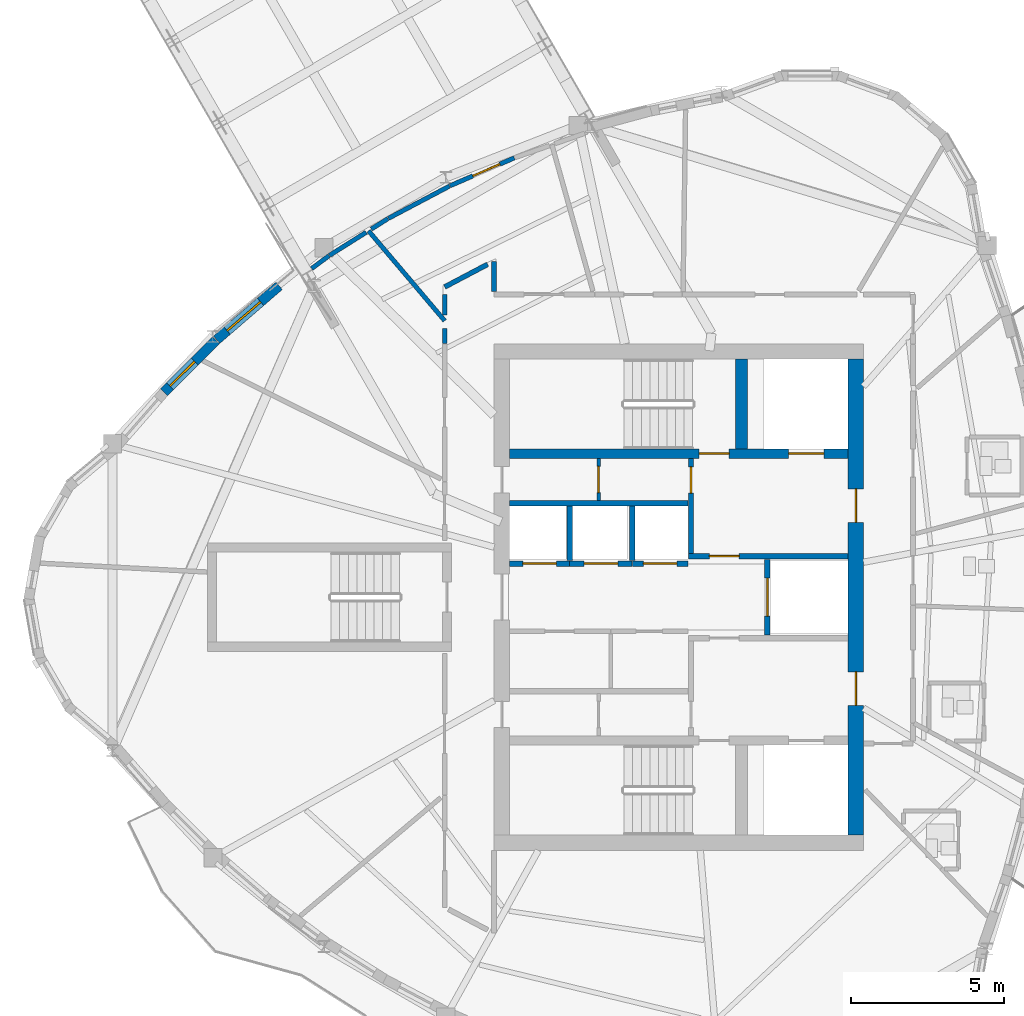
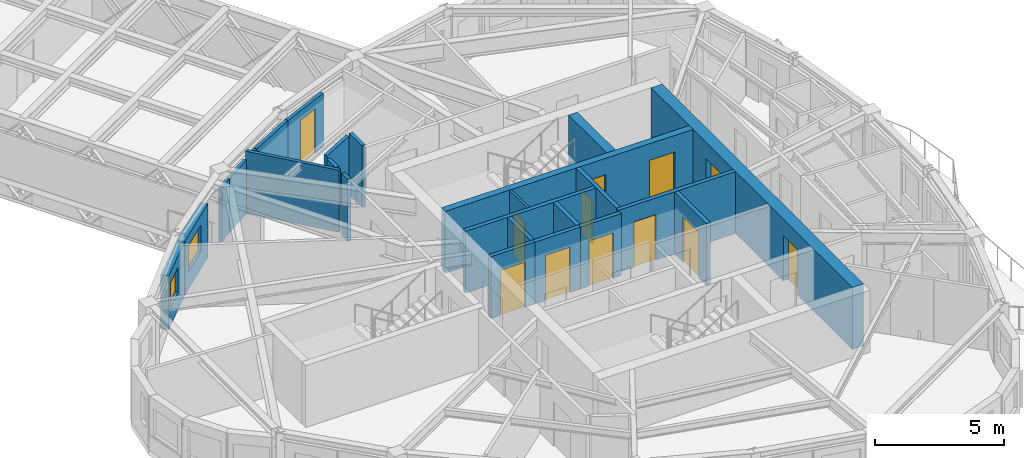
# One storey, part 8 of 14: 25 walls, 12 doors, 2 windows, 14 openings.
"""IFC4 building model written with IfcOpenShell, lengths in metres."""

import ifcopenshell
import ifcopenshell.guid

model = None  # the IFC model being written
_history = None  # IfcOwnerHistory: only IFC2X3 demands one
_inside = {}  # id of a spatial element -> (the spatial element, [elements in it])
_under = {}  # id of a project, library or spatial element -> (it, [spatial elements below it])
_declared = {}  # id of a project -> (the project, [libraries it declares])
_typed = {}  # id of a type object -> (the type object, [elements of that type])
_made_of = {}  # id of a material, layer set ... -> (it, [elements and type objects made of it])


def new_model(schema):
    """Start an empty IFC model of exactly this schema.

    Asked for "IFC4X3", IfcOpenShell would pick the latest addendum, in which some entities
    have other attributes; the version numbers below select the first issue.
    IFC2X3 requires an IfcOwnerHistory on every rooted entity: one is made here for all.
    """
    global model, _history
    if schema == "IFC4X3":
        model = ifcopenshell.file(schema_version=(4, 3, 0, 0))
    else:
        model = ifcopenshell.file(schema=schema)
    _inside.clear()
    _under.clear()
    _declared.clear()
    _typed.clear()
    _made_of.clear()
    _history = None
    if model.schema == "IFC2X3":
        org = make("IfcOrganization", Name="unknown")
        user = make(
            "IfcPersonAndOrganization",
            ThePerson=make("IfcPerson", FamilyName="unknown"),
            TheOrganization=org,
        )
        app = make(
            "IfcApplication",
            ApplicationDeveloper=org,
            Version="unknown",
            ApplicationFullName="unknown",
            ApplicationIdentifier="unknown",
        )
        _history = make(
            "IfcOwnerHistory",
            OwningUser=user,
            OwningApplication=app,
            ChangeAction="ADDED",
            CreationDate=0,
        )
    return model


def make(cls, **values):
    """One entity of the class cls with the attributes given. An attribute that is None is left unset."""
    return model.create_entity(
        cls, **{name: value for name, value in values.items() if value is not None}
    )


def rooted(cls, **values):
    """An entity with a GlobalId (a new one), such as an element, a storey or a relation."""
    return make(cls, GlobalId=ifcopenshell.guid.new(), OwnerHistory=_history, **values)


def si_unit(unit_type, name, prefix=None):
    """IfcSIUnit, for example si_unit("LENGTHUNIT", "METRE", prefix="MILLI")."""
    return make("IfcSIUnit", UnitType=unit_type, Prefix=prefix, Name=name)


def assignment(units):
    """IfcUnitAssignment: the units of a project."""
    return None if units is None else make("IfcUnitAssignment", Units=units)


def point(xyz):
    """IfcCartesianPoint."""
    return None if xyz is None else make("IfcCartesianPoint", Coordinates=xyz)


def direction(xyz):
    """IfcDirection."""
    return None if xyz is None else make("IfcDirection", DirectionRatios=xyz)


def frame(location, z_axis=None, x_axis=None):
    """IfcAxis2Placement3D, a coordinate frame: its origin and axes. An axis left out is left unset."""
    return make(
        "IfcAxis2Placement3D",
        Location=point(location),
        Axis=direction(z_axis),
        RefDirection=direction(x_axis),
    )


def frame_2d(location, x_axis=None):
    """IfcAxis2Placement2D, a coordinate frame in the plane: its origin and x axis."""
    return make(
        "IfcAxis2Placement2D", Location=point(location), RefDirection=direction(x_axis)
    )


def origin():
    """The frame at (0, 0, 0) with its axes left unset."""
    return frame((0.0, 0.0, 0.0))


def place(relative_to, where):
    """IfcLocalPlacement: puts the frame where relative to a parent placement (None: the world)."""
    return make(
        "IfcLocalPlacement", PlacementRelTo=relative_to, RelativePlacement=where
    )


def context(
    kind, dimensions, precision=None, world=None, true_north=None, identifier=None
):
    """IfcGeometricRepresentationContext, for example the 3D "Model" context."""
    return make(
        "IfcGeometricRepresentationContext",
        ContextIdentifier=identifier,
        ContextType=kind,
        CoordinateSpaceDimension=dimensions,
        Precision=precision,
        WorldCoordinateSystem=world,
        TrueNorth=true_north,
    )


def subcontext(parent, identifier, kind, view, scale=None):
    """IfcGeometricRepresentationSubContext, for example "Body" below "Model"."""
    return make(
        "IfcGeometricRepresentationSubContext",
        ContextIdentifier=identifier,
        ContextType=kind,
        ParentContext=parent,
        TargetScale=scale,
        TargetView=view,
    )


def project(units=None, contexts=None):
    """IfcProject with its units and contexts."""
    return rooted(
        "IfcProject",
        Name="project",
        RepresentationContexts=contexts,
        UnitsInContext=assignment(units),
    )


def spatial(cls, under=None, at=None, **own):
    """A site, building, storey or space (cls), placed at a placement, below another one or the project."""
    s = rooted(cls, ObjectPlacement=at, **own)
    if under is not None:
        _under.setdefault(under.id(), (under, []))[1].append(s)
    return s


def profile(cls, at=None, kind="AREA", **sizes):
    """A parametric profile (cls). Its sizes go by their IFC names, for example OverallWidth=200.0."""
    return make(cls, ProfileType=kind, Position=at, **sizes)


def rectangle(**sizes):
    """IfcRectangleProfileDef."""
    return profile("IfcRectangleProfileDef", **sizes)


def extrude(swept, where, along, depth):
    """IfcExtrudedAreaSolid: the profile swept, set in the frame where, extruded along a direction by depth."""
    return make(
        "IfcExtrudedAreaSolid",
        SweptArea=swept,
        Position=where,
        ExtrudedDirection=direction(along),
        Depth=depth,
    )


def shape(context_of_items, identifier, shape_type, items):
    """IfcShapeRepresentation: the items that make up one representation, for example the "Body"."""
    return make(
        "IfcShapeRepresentation",
        ContextOfItems=context_of_items,
        RepresentationIdentifier=identifier,
        RepresentationType=shape_type,
        Items=items,
    )


def source(mapping_origin, context_of_items, identifier, shape_type, items):
    """IfcRepresentationMap: a shape defined once, which mapped items show again and again."""
    return make(
        "IfcRepresentationMap",
        MappingOrigin=mapping_origin,
        MappedRepresentation=shape(context_of_items, identifier, shape_type, items),
    )


def transform(
    local_origin,
    x_axis=None,
    y_axis=None,
    z_axis=None,
    scale=None,
    scale2=None,
    scale3=None,
    uniform=True,
):
    """IfcCartesianTransformationOperator3D, or its non-uniform kind. x_axis, y_axis, z_axis: its Axis1, 2, 3."""
    if uniform:
        return make(
            "IfcCartesianTransformationOperator3D",
            Axis1=direction(x_axis),
            Axis2=direction(y_axis),
            LocalOrigin=point(local_origin),
            Scale=scale,
            Axis3=direction(z_axis),
        )
    return make(
        "IfcCartesianTransformationOperator3DnonUniform",
        Axis1=direction(x_axis),
        Axis2=direction(y_axis),
        LocalOrigin=point(local_origin),
        Scale=scale,
        Axis3=direction(z_axis),
        Scale2=scale2,
        Scale3=scale3,
    )


def mapped(mapping_source, mapping_target):
    """IfcMappedItem: shows the shape of a source again, moved by a transform."""
    return make(
        "IfcMappedItem", MappingSource=mapping_source, MappingTarget=mapping_target
    )


def material(Name=None, Category=None):
    """IfcMaterial."""
    return make("IfcMaterial", Name=Name, Category=Category)


def layer(
    of_material, thickness, ventilated=None, Name=None, Category=None, Priority=None
):
    """IfcMaterialLayer: one layer of a wall or slab, of a material (None: an air gap)."""
    return make(
        "IfcMaterialLayer",
        Material=of_material,
        LayerThickness=thickness,
        IsVentilated=ventilated,
        Name=Name,
        Category=Category,
        Priority=Priority,
    )


def layer_set(layers, Name=None):
    """IfcMaterialLayerSet."""
    return make("IfcMaterialLayerSet", MaterialLayers=layers, LayerSetName=Name)


def made_of(thing, what):
    """Note that an element or type object is made of a material, layer set ...; save() writes the relation."""
    if what is not None:
        _made_of.setdefault(what.id(), (what, []))[1].append(thing)
    return thing


def type_object(cls, material=None, **own):
    """A type object (cls), such as IfcWallType, which elements share."""
    return made_of(rooted(cls, **own), material)


def element(
    cls,
    number,
    at=None,
    inside=None,
    cuts=None,
    type_object=None,
    material=None,
    context=None,
    identifier="Body",
    shape_type=None,
    held_by="IfcProductDefinitionShape",
    body=None,
    shapes=None,
    **own,
):
    """One element of the class cls, such as IfcWall. Its Tag is "e" and its number.

    at: its placement. inside: the storey or other place that contains it. cuts: it is an
    opening in that element (IfcRelVoidsElement). A single representation is given by context,
    identifier, shape_type and body (its items); several are given by shapes. held_by: the class
    of the entity that holds the representations. save() writes the other relations.
    """
    e = rooted(cls, Tag="e%d" % number, ObjectPlacement=at, **own)
    if body is not None:
        shapes = [shape(context, identifier, shape_type, body)]
    if shapes is not None:
        e.Representation = make(held_by, Representations=shapes)
    if inside is not None:
        _inside.setdefault(inside.id(), (inside, []))[1].append(e)
    if cuts is not None:
        rooted(
            "IfcRelVoidsElement", RelatingBuildingElement=cuts, RelatedOpeningElement=e
        )
    if type_object is not None:
        _typed.setdefault(type_object.id(), (type_object, []))[1].append(e)
    return made_of(e, material)


def fill(opening, filler):
    """IfcRelFillsElement: the door or window that sits in an opening."""
    return rooted(
        "IfcRelFillsElement",
        RelatingOpeningElement=opening,
        RelatedBuildingElement=filler,
    )


def aggregate(whole, parts):
    """IfcRelAggregates: a whole, such as a stair, and the parts it consists of."""
    return rooted("IfcRelAggregates", RelatingObject=whole, RelatedObjects=parts)


def save(model, path):
    """Write the relations noted so far, then the file.

    IfcRelAggregates (storeys below a building ...), IfcRelContainedInSpatialStructure (elements
    in a storey), IfcRelDefinesByType, IfcRelAssociatesMaterial and IfcRelDeclares: one each for
    every whole, place, type object, material and project.
    """
    for whole, parts in _under.values():
        aggregate(whole, parts)
    for where, things in _inside.values():
        rooted(
            "IfcRelContainedInSpatialStructure",
            RelatedElements=things,
            RelatingStructure=where,
        )
    for kind, things in _typed.values():
        rooted("IfcRelDefinesByType", RelatedObjects=things, RelatingType=kind)
    for what, things in _made_of.values():
        rooted("IfcRelAssociatesMaterial", RelatedObjects=things, RelatingMaterial=what)
    for by, libraries in _declared.values():
        rooted("IfcRelDeclares", RelatingContext=by, RelatedDefinitions=libraries)
    model.write(path)


model = new_model("IFC4")

# Units and contexts
model_context = context("Model", 3, precision=1e-05, world=origin(), true_north=direction((0.0, 1.0)))
body_context = subcontext(model_context, "Body", "Model", "MODEL_VIEW")
ifc_project = project(units=[si_unit("LENGTHUNIT", "METRE"), si_unit("AREAUNIT", "SQUARE_METRE"), si_unit("VOLUMEUNIT", "CUBIC_METRE"), si_unit("PLANEANGLEUNIT", "RADIAN"), si_unit("MASSUNIT", "GRAM", prefix="KILO")], contexts=[model_context])

# Site, building, storey
site_placement = place(None, origin())
site = spatial("IfcSite", under=ifc_project, at=site_placement, CompositionType="ELEMENT")
building_placement = place(site_placement, origin())
building = spatial("IfcBuilding", under=site, at=building_placement, Name="Qafzar Sky-Pleat Residences", CompositionType="ELEMENT")
storey_placement = place(building_placement, frame((0.0, 0.0, 205.199951171875)))
storey = spatial("IfcBuildingStorey", under=building, at=storey_placement, Name="L61", CompositionType="ELEMENT", Elevation=205.199951171875)

# Walls
ifc_material_1 = material(Name="Acoustic gypsum plasterboard partition", Category="gypsum")
ifc_layer_1 = layer(ifc_material_1, 0.159912109375)
ifc_layer_set_1 = layer_set([ifc_layer_1], Name="Acoustic gypsum plasterboard partition")
wall_type_1 = type_object("IfcWallType", Name="PART-COR-160", PredefinedType="PARTITIONING", material=ifc_layer_set_1)
wall_1_placement = place(storey_placement, frame((22.679931640625, 36.1630859375, 0.0), z_axis=(0.0, 0.0, 1.0), x_axis=(0.884428711586, 0.466675319812, 0.0)))
element("IfcWall", 1, at=wall_1_placement, inside=storey, type_object=wall_type_1, Name="L61 Partition Wall PART-L61-PW-040", PredefinedType="PARTITIONING", context=body_context, shape_type="SweptSolid", body=[
    extrude(rectangle(XDim=1.592041015625, YDim=0.159912109375, at=frame_2d((0.7958984375, 0.0))), origin(), (0.0, 0.0, 1.0), 2.93505859375),
])
wall_2_placement = place(storey_placement, frame((24.300048828125, 36.008056640625, 0.0), z_axis=(0.0, 0.0, 1.0), x_axis=(0.0, 1.0, 0.0)))
element("IfcWall", 2, at=wall_2_placement, inside=storey, type_object=wall_type_1, Name="L61 Partition Wall PART-L61-PW-047", PredefinedType="PARTITIONING", context=body_context, shape_type="SweptSolid", body=[
    extrude(rectangle(XDim=0.989990234375, YDim=0.159912109375, at=frame_2d((0.4951171875, 0.0))), origin(), (0.0, 0.0, 1.0), 2.93505859375),
])
wall_3_placement = place(storey_placement, frame((22.679931640625, 35.24658203125, 0.0), z_axis=(0.0, 0.0, 1.0), x_axis=(0.0, 1.0, 0.0)))
element("IfcWall", 3, at=wall_3_placement, inside=storey, type_object=wall_type_1, Name="L61 Partition Wall PART-L61-PW-049", PredefinedType="PARTITIONING", context=body_context, shape_type="SweptSolid", body=[
    extrude(rectangle(XDim=0.67333984375, YDim=0.159912109375, at=frame_2d((0.336669921875, 0.0))), origin(), (0.0, 0.0, 1.0), 2.93505859375),
])
wall_4_placement = place(storey_placement, frame((22.679931640625, 34.31494140625, 0.0), z_axis=(0.0, 0.0, 1.0), x_axis=(0.0, 1.0, 0.0)))
element("IfcWall", 4, at=wall_4_placement, inside=storey, type_object=wall_type_1, Name="L61 Partition Wall PART-L61-PW-052", PredefinedType="PARTITIONING", context=body_context, shape_type="SweptSolid", body=[
    extrude(rectangle(XDim=0.487548828125, YDim=0.159912109375, at=frame_2d((0.24365234375, 0.0))), origin(), (0.0, 0.0, 1.0), 2.93505859375),
])

# Wall, opening, door
ifc_material_2 = material(Name="Concrete blockwork partition", Category="masonry")
ifc_layer_2 = layer(ifc_material_2, 0.179931640625)
ifc_layer_set_2 = layer_set([ifc_layer_2], Name="Concrete blockwork partition")
wall_type_2 = type_object("IfcWallType", Name="PART-SHAFT-180", PredefinedType="PARTITIONING", material=ifc_layer_set_2)
wall_5_placement = place(storey_placement, frame((30.75, 27.429931640625, 0.0), z_axis=(0.0, 0.0, 1.0), x_axis=(0.0, 1.0, 0.0)))
wall_5 = element("IfcWall", 5, at=wall_5_placement, inside=storey, type_object=wall_type_2, Name="L61 Partition Wall PART-L61-FFL2-W", PredefinedType="PARTITIONING", context=body_context, shape_type="SweptSolid", body=[
    extrude(rectangle(XDim=3.110107421875, YDim=0.179931640625, at=frame_2d((1.55517578125, 0.0))), origin(), (0.0, 0.0, 1.0), 2.93505859375),
])
opening_1_placement = place(wall_5_placement, frame((1.97998046875, 0.0, 0.0)))
opening_1 = element("IfcOpeningElement", 6, at=opening_1_placement, cuts=wall_5, Name="Opening ID-09", PredefinedType="OPENING", context=body_context, shape_type="SweptSolid", body=[
    extrude(rectangle(XDim=0.860107421875, YDim=2.050048828125, at=frame_2d((0.43017578125, 1.02490234375))), frame((0.0, 0.10009765625, 0.0), z_axis=(0.0, -1.0, 0.0), x_axis=(1.0, 0.0, 0.0)), (0.0, 0.0, 1.0), 0.199951171875),
])
ifc_material_3 = material(Name="Timber-faced fire door", Category="wood")
door_type_1 = type_object("IfcDoorType", Name="DR-SVC-860", OperationType="NOTDEFINED", PredefinedType="DOOR", material=ifc_material_3)
shared_shape_1 = source(origin(), body_context, "Body", "SweptSolid", [
    extrude(rectangle(XDim=0.860107421875, YDim=2.050048828125, at=frame_2d((0.43017578125, 1.02490234375))), frame((0.0, 0.02490234375, 0.0), z_axis=(0.0, -1.0, 0.0), x_axis=(1.0, 0.0, 0.0)), (0.0, 0.0, 1.0), 0.050048828125),
])
door_1_placement = place(opening_1_placement, origin())
door_1 = element("IfcDoor", 7, at=door_1_placement, inside=storey, type_object=door_type_1, Name="L61 North Core Cupboard Door", OperationType="SINGLE_SWING_LEFT", OverallHeight=2.050048828125, OverallWidth=0.860107421875, PredefinedType="DOOR", context=body_context, shape_type="MappedRepresentation", body=[
    mapped(shared_shape_1, transform((0.0, 0.0, 0.0), x_axis=(1.0, 0.0, 0.0), y_axis=(0.0, 1.0, 0.0), z_axis=(0.0, 0.0, 1.0), scale=1.0)),
])
fill(opening_1, door_1)

wall_6_placement = place(storey_placement, frame((30.669921875, 27.340087890625, 0.0), z_axis=(0.0, 0.0, 1.0), x_axis=(1.0, 0.0, 0.0)))
wall_6 = element("IfcWall", 8, at=wall_6_placement, inside=storey, type_object=wall_type_2, Name="L61 Partition Wall PART-L61-FFL2-S", PredefinedType="PARTITIONING", context=body_context, shape_type="SweptSolid", body=[
    extrude(rectangle(XDim=5.219970703125, YDim=0.179931640625, at=frame_2d((2.60986328125, 0.0))), origin(), (0.0, 0.0, 1.0), 2.93505859375),
])
opening_2_placement = place(wall_6_placement, frame((0.679931640625, 0.0, 0.0)))
opening_2 = element("IfcOpeningElement", 9, at=opening_2_placement, cuts=wall_6, Name="Opening ID-01", PredefinedType="OPENING", context=body_context, shape_type="SweptSolid", body=[
    extrude(rectangle(XDim=0.97998046875, YDim=2.14990234375, at=frame_2d((0.489990234375, 1.074951171875))), frame((0.0, 0.10009765625, 0.0), z_axis=(0.0, -1.0, 0.0), x_axis=(1.0, 0.0, 0.0)), (0.0, 0.0, 1.0), 0.199951171875),
])
door_type_2 = type_object("IfcDoorType", Name="DR-STAIR-980", OperationType="NOTDEFINED", PredefinedType="DOOR", material=ifc_material_3)
shared_shape_2 = source(origin(), body_context, "Body", "SweptSolid", [
    extrude(rectangle(XDim=0.97998046875, YDim=2.14990234375, at=frame_2d((0.489990234375, 1.074951171875))), frame((0.0, 0.02490234375, 0.0), z_axis=(0.0, -1.0, 0.0), x_axis=(1.0, 0.0, 0.0)), (0.0, 0.0, 1.0), 0.050048828125),
])
door_2_placement = place(opening_2_placement, origin())
door_2 = element("IfcDoor", 10, at=door_2_placement, inside=storey, type_object=door_type_2, Name="L61 Lift Lobby to North Firefighting Lobby Door", OperationType="SINGLE_SWING_RIGHT", OverallHeight=2.14990234375, OverallWidth=0.97998046875, PredefinedType="DOOR", context=body_context, shape_type="MappedRepresentation", body=[
    mapped(shared_shape_2, transform((0.0, 0.0, 0.0), x_axis=(1.0, 0.0, 0.0), y_axis=(0.0, 1.0, 0.0), z_axis=(0.0, 0.0, 1.0), scale=1.0)),
])
fill(opening_2, door_2)

wall_7_placement = place(storey_placement, frame((33.25, 24.760009765625, 0.0), z_axis=(0.0, 0.0, 1.0), x_axis=(0.0, 1.0, 0.0)))
wall_7 = element("IfcWall", 11, at=wall_7_placement, inside=storey, type_object=wall_type_2, Name="L61 Partition Wall PART-L61-SV1-W", PredefinedType="PARTITIONING", context=body_context, shape_type="SweptSolid", body=[
    extrude(rectangle(XDim=2.47998046875, YDim=0.179931640625, at=frame_2d((1.239990234375, 0.0))), origin(), (0.0, 0.0, 1.0), 2.93505859375),
])
opening_3_placement = place(wall_7_placement, frame((0.614990234375, 0.0, 0.0)))
opening_3 = element("IfcOpeningElement", 12, at=opening_3_placement, cuts=wall_7, Name="Opening LD-03", PredefinedType="OPENING", context=body_context, shape_type="SweptSolid", body=[
    extrude(rectangle(XDim=1.25, YDim=2.14990234375, at=frame_2d((0.625, 1.074951171875))), frame((0.0, 0.10009765625, 0.0), z_axis=(0.0, -1.0, 0.0), x_axis=(1.0, 0.0, 0.0)), (0.0, 0.0, 1.0), 0.199951171875),
])
ifc_material_4 = material(Name="Stainless steel sliding landing door", Category="steel")
door_type_3 = type_object("IfcDoorType", Name="DR-LIFT-SV", OperationType="DOUBLE_DOOR_SLIDING", PredefinedType="DOOR", material=ifc_material_4)
shared_shape_3 = source(origin(), body_context, "Body", "SweptSolid", [
    extrude(rectangle(XDim=1.25, YDim=2.14990234375, at=frame_2d((0.625, 1.074951171875))), frame((0.0, 0.02490234375, 0.0), z_axis=(0.0, -1.0, 0.0), x_axis=(1.0, 0.0, 0.0)), (0.0, 0.0, 1.0), 0.050048828125),
])
door_3_placement = place(opening_3_placement, origin())
door_3 = element("IfcDoor", 13, at=door_3_placement, inside=storey, type_object=door_type_3, Name="L61 Service Lift SV1 Landing Door", OperationType="DOUBLE_DOOR_SLIDING", OverallHeight=2.14990234375, OverallWidth=1.25, PredefinedType="DOOR", context=body_context, shape_type="MappedRepresentation", body=[
    mapped(shared_shape_3, transform((0.0, 0.0, 0.0), x_axis=(1.0, 0.0, 0.0), y_axis=(0.0, 1.0, 0.0), z_axis=(0.0, 0.0, 1.0), scale=1.0)),
])
fill(opening_3, door_3)

# Wall
wall_8_placement = place(storey_placement, frame((24.81005859375, 29.080078125, 0.0), z_axis=(0.0, 0.0, 1.0), x_axis=(1.0, 0.0, 0.0)))
element("IfcWall", 14, at=wall_8_placement, inside=storey, type_object=wall_type_2, Name="L61 Partition Wall PART-L61-P46-N", PredefinedType="PARTITIONING", context=body_context, shape_type="SweptSolid", body=[
    extrude(rectangle(XDim=5.83984375, YDim=0.179931640625, at=frame_2d((2.919921875, 0.0))), origin(), (0.0, 0.0, 1.0), 2.93505859375),
])

# Wall, opening, door
wall_9_placement = place(storey_placement, frame((24.81005859375, 27.10009765625, 0.0), z_axis=(0.0, 0.0, 1.0), x_axis=(1.0, 0.0, 0.0)))
wall_9 = element("IfcWall", 15, at=wall_9_placement, inside=storey, type_object=wall_type_2, Name="L61 Partition Wall PART-L61-P4-S", PredefinedType="PARTITIONING", context=body_context, shape_type="SweptSolid", body=[
    extrude(rectangle(XDim=1.96484375, YDim=0.179931640625, at=frame_2d((0.982421875, 0.0))), origin(), (0.0, 0.0, 1.0), 2.93505859375),
])
opening_4_placement = place(wall_9_placement, frame((0.4326171875, 0.0, 0.0)))
opening_4 = element("IfcOpeningElement", 16, at=opening_4_placement, cuts=wall_9, Name="Opening LD-01", PredefinedType="OPENING", context=body_context, shape_type="SweptSolid", body=[
    extrude(rectangle(XDim=1.10009765625, YDim=2.14990234375, at=frame_2d((0.550048828125, 1.074951171875))), frame((0.0, 0.10009765625, 0.0), z_axis=(0.0, -1.0, 0.0), x_axis=(1.0, 0.0, 0.0)), (0.0, 0.0, 1.0), 0.199951171875),
])
door_type_4 = type_object("IfcDoorType", Name="DR-LIFT-P", OperationType="DOUBLE_DOOR_SLIDING", PredefinedType="DOOR", material=ifc_material_4)
shared_shape_4 = source(origin(), body_context, "Body", "SweptSolid", [
    extrude(rectangle(XDim=1.10009765625, YDim=2.14990234375, at=frame_2d((0.550048828125, 1.074951171875))), frame((0.0, 0.02490234375, 0.0), z_axis=(0.0, -1.0, 0.0), x_axis=(1.0, 0.0, 0.0)), (0.0, 0.0, 1.0), 0.050048828125),
])
door_4_placement = place(opening_4_placement, origin())
door_4 = element("IfcDoor", 17, at=door_4_placement, inside=storey, type_object=door_type_4, Name="L61 Passenger Lift P4 Landing Door", OperationType="DOUBLE_DOOR_SLIDING", OverallHeight=2.14990234375, OverallWidth=1.10009765625, PredefinedType="DOOR", context=body_context, shape_type="MappedRepresentation", body=[
    mapped(shared_shape_4, transform((0.0, 0.0, 0.0), x_axis=(1.0, 0.0, 0.0), y_axis=(0.0, 1.0, 0.0), z_axis=(0.0, 0.0, 1.0), scale=1.0)),
])
fill(opening_4, door_4)

wall_10_placement = place(storey_placement, frame((26.77490234375, 27.10009765625, 0.0), z_axis=(0.0, 0.0, 1.0), x_axis=(1.0, 0.0, 0.0)))
wall_10 = element("IfcWall", 18, at=wall_10_placement, inside=storey, type_object=wall_type_2, Name="L61 Partition Wall PART-L61-P5-S", PredefinedType="PARTITIONING", context=body_context, shape_type="SweptSolid", body=[
    extrude(rectangle(XDim=2.050048828125, YDim=0.179931640625, at=frame_2d((1.02490234375, 0.0))), origin(), (0.0, 0.0, 1.0), 2.93505859375),
])
opening_5_placement = place(wall_10_placement, frame((0.47509765625, 0.0, 0.0)))
opening_5 = element("IfcOpeningElement", 19, at=opening_5_placement, cuts=wall_10, Name="Opening LD-01", PredefinedType="OPENING", context=body_context, shape_type="SweptSolid", body=[
    extrude(rectangle(XDim=1.10009765625, YDim=2.14990234375, at=frame_2d((0.550048828125, 1.074951171875))), frame((0.0, 0.10009765625, 0.0), z_axis=(0.0, -1.0, 0.0), x_axis=(1.0, 0.0, 0.0)), (0.0, 0.0, 1.0), 0.199951171875),
])
door_5_placement = place(opening_5_placement, origin())
door_5 = element("IfcDoor", 20, at=door_5_placement, inside=storey, type_object=door_type_4, Name="L61 Passenger Lift P5 Landing Door", OperationType="DOUBLE_DOOR_SLIDING", OverallHeight=2.14990234375, OverallWidth=1.10009765625, PredefinedType="DOOR", context=body_context, shape_type="MappedRepresentation", body=[
    mapped(shared_shape_4, transform((0.0, 0.0, 0.0), x_axis=(1.0, 0.0, 0.0), y_axis=(0.0, 1.0, 0.0), z_axis=(0.0, 0.0, 1.0), scale=1.0)),
])
fill(opening_5, door_5)

# Wall
wall_11_placement = place(storey_placement, frame((26.77490234375, 27.199951171875, 0.0), z_axis=(0.0, 0.0, 1.0), x_axis=(0.0, 1.0, 0.0)))
element("IfcWall", 21, at=wall_11_placement, inside=storey, type_object=wall_type_2, Name="L61 Partition Wall PART-L61-P46-DIV-1", PredefinedType="PARTITIONING", context=body_context, shape_type="SweptSolid", body=[
    extrude(rectangle(XDim=1.780029296875, YDim=0.179931640625, at=frame_2d((0.89013671875, 0.0))), origin(), (0.0, 0.0, 1.0), 2.93505859375),
])

# Wall, opening, door
wall_12_placement = place(storey_placement, frame((28.824951171875, 27.10009765625, 0.0), z_axis=(0.0, 0.0, 1.0), x_axis=(1.0, 0.0, 0.0)))
wall_12 = element("IfcWall", 22, at=wall_12_placement, inside=storey, type_object=wall_type_2, Name="L61 Partition Wall PART-L61-P6-S", PredefinedType="PARTITIONING", context=body_context, shape_type="SweptSolid", body=[
    extrude(rectangle(XDim=1.824951171875, YDim=0.179931640625, at=frame_2d((0.91259765625, 0.0))), origin(), (0.0, 0.0, 1.0), 2.93505859375),
])
opening_6_placement = place(wall_12_placement, frame((0.362548828125, 0.0, 0.0)))
opening_6 = element("IfcOpeningElement", 23, at=opening_6_placement, cuts=wall_12, Name="Opening LD-01", PredefinedType="OPENING", context=body_context, shape_type="SweptSolid", body=[
    extrude(rectangle(XDim=1.10009765625, YDim=2.14990234375, at=frame_2d((0.550048828125, 1.074951171875))), frame((0.0, 0.10009765625, 0.0), z_axis=(0.0, -1.0, 0.0), x_axis=(1.0, 0.0, 0.0)), (0.0, 0.0, 1.0), 0.199951171875),
])
door_6_placement = place(opening_6_placement, origin())
door_6 = element("IfcDoor", 24, at=door_6_placement, inside=storey, type_object=door_type_4, Name="L61 Passenger Lift P6 Landing Door", OperationType="DOUBLE_DOOR_SLIDING", OverallHeight=2.14990234375, OverallWidth=1.10009765625, PredefinedType="DOOR", context=body_context, shape_type="MappedRepresentation", body=[
    mapped(shared_shape_4, transform((0.0, 0.0, 0.0), x_axis=(1.0, 0.0, 0.0), y_axis=(0.0, 1.0, 0.0), z_axis=(0.0, 0.0, 1.0), scale=1.0)),
])
fill(opening_6, door_6)

# Wall
wall_13_placement = place(storey_placement, frame((28.824951171875, 27.199951171875, 0.0), z_axis=(0.0, 0.0, 1.0), x_axis=(0.0, 1.0, 0.0)))
element("IfcWall", 25, at=wall_13_placement, inside=storey, type_object=wall_type_2, Name="L61 Partition Wall PART-L61-P46-DIV-2", PredefinedType="PARTITIONING", context=body_context, shape_type="SweptSolid", body=[
    extrude(rectangle(XDim=1.780029296875, YDim=0.179931640625, at=frame_2d((0.89013671875, 0.0))), origin(), (0.0, 0.0, 1.0), 2.93505859375),
])

# Wall, opening, door
ifc_material_5 = material(Name="Gypsum plasterboard partition", Category="gypsum")
ifc_layer_3 = layer(ifc_material_5, 0.114990234375)
ifc_layer_set_3 = layer_set([ifc_layer_3], Name="Gypsum plasterboard partition")
wall_type_3 = type_object("IfcWallType", Name="PART-SVC-115", PredefinedType="PARTITIONING", material=ifc_layer_set_3)
wall_14_placement = place(storey_placement, frame((27.72509765625, 29.159912109375, 0.0), z_axis=(0.0, 0.0, 1.0), x_axis=(0.0, 1.0, 0.0)))
wall_14 = element("IfcWall", 26, at=wall_14_placement, inside=storey, type_object=wall_type_3, Name="L61 Partition Wall PART-L61-KB-NW", PredefinedType="PARTITIONING", context=body_context, shape_type="SweptSolid", body=[
    extrude(rectangle(XDim=1.380126953125, YDim=0.114990234375, at=frame_2d((0.68994140625, 0.0))), origin(), (0.0, 0.0, 1.0), 2.93505859375),
])
opening_7_placement = place(wall_14_placement, frame((0.260009765625, 0.0, 0.0)))
opening_7 = element("IfcOpeningElement", 27, at=opening_7_placement, cuts=wall_14, Name="Opening ID-09", PredefinedType="OPENING", context=body_context, shape_type="SweptSolid", body=[
    extrude(rectangle(XDim=0.860107421875, YDim=2.050048828125, at=frame_2d((0.43017578125, 1.02490234375))), frame((0.0, 0.0673828125, 0.0), z_axis=(0.0, -1.0, 0.0), x_axis=(1.0, 0.0, 0.0)), (0.0, 0.0, 1.0), 0.135009765625),
])
door_7_placement = place(opening_7_placement, origin())
door_7 = element("IfcDoor", 28, at=door_7_placement, inside=storey, type_object=door_type_1, Name="L61 IT Cupboard Door", OperationType="SINGLE_SWING_RIGHT", OverallHeight=2.050048828125, OverallWidth=0.860107421875, PredefinedType="DOOR", context=body_context, shape_type="MappedRepresentation", body=[
    mapped(shared_shape_1, transform((0.0, 0.0, 0.0), x_axis=(1.0, 0.0, 0.0), y_axis=(0.0, 1.0, 0.0), z_axis=(0.0, 0.0, 1.0), scale=1.0)),
])
fill(opening_7, door_7)

ifc_layer_4 = layer(ifc_material_1, 0.14501953125)
ifc_layer_set_4 = layer_set([ifc_layer_4], Name="Acoustic gypsum plasterboard partition")
wall_type_4 = type_object("IfcWallType", Name="PART-UNIT-145", PredefinedType="PARTITIONING", material=ifc_layer_set_4)
wall_15_placement = place(storey_placement, frame((22.85302734375, 39.47705078125, 0.0), z_axis=(0.0, 0.0, 1.0), x_axis=(0.917164692317, 0.398508377788, 0.0)))
wall_15 = element("IfcWall", 29, at=wall_15_placement, inside=storey, type_object=wall_type_4, Name="L61 Partition Wall PART-L61-PW-010", PredefinedType="PARTITIONING", context=body_context, shape_type="SweptSolid", body=[
    extrude(rectangle(XDim=2.296142578125, YDim=0.14501953125, at=frame_2d((1.14794921875, 0.0))), origin(), (0.0, 0.0, 1.0), 2.54296875),
])
opening_8_placement = place(wall_15_placement, frame((0.8173828125, 0.0, 0.0)))
opening_8 = element("IfcOpeningElement", 30, at=opening_8_placement, cuts=wall_15, Name="Opening ID-06", PredefinedType="OPENING", context=body_context, shape_type="SweptSolid", body=[
    extrude(rectangle(XDim=0.9599609375, YDim=2.10009765625, at=frame_2d((0.47998046875, 1.050048828125))), frame((0.0, 0.08251953125, 0.0), z_axis=(0.0, -1.0, 0.0), x_axis=(1.0, 0.0, 0.0)), (0.0, 0.0, 1.0), 0.1650390625),
])
door_type_5 = type_object("IfcDoorType", Name="DR-STD-960", OperationType="NOTDEFINED", PredefinedType="DOOR", material=ifc_material_3)
shared_shape_5 = source(origin(), body_context, "Body", "SweptSolid", [
    extrude(rectangle(XDim=0.9599609375, YDim=2.10009765625, at=frame_2d((0.47998046875, 1.050048828125))), frame((0.0, 0.02490234375, 0.0), z_axis=(0.0, -1.0, 0.0), x_axis=(1.0, 0.0, 0.0)), (0.0, 0.0, 1.0), 0.050048828125),
])
door_8_placement = place(opening_8_placement, origin())
door_8 = element("IfcDoor", 31, at=door_8_placement, inside=storey, type_object=door_type_5, Name="L61 Sky-Bar Reading Library Door", OperationType="SINGLE_SWING_RIGHT", OverallHeight=2.10009765625, OverallWidth=0.9599609375, PredefinedType="DOOR", context=body_context, shape_type="MappedRepresentation", body=[
    mapped(shared_shape_5, transform((0.0, 0.0, 0.0), x_axis=(1.0, 0.0, 0.0), y_axis=(0.0, 1.0, 0.0), z_axis=(0.0, 0.0, 1.0), scale=1.0)),
])
fill(opening_8, door_8)

# Walls
wall_16_placement = place(storey_placement, frame((20.18408203125, 38.001953125, 0.0), z_axis=(0.0, 0.0, 1.0), x_axis=(0.646276580378, -0.763103257531, 0.0)))
element("IfcWall", 32, at=wall_16_placement, inside=storey, type_object=wall_type_4, Name="L61 Partition Wall PART-L61-PW-026", PredefinedType="PARTITIONING", context=body_context, shape_type="SweptSolid", body=[
    extrude(rectangle(XDim=3.86181640625, YDim=0.14501953125, at=frame_2d((1.930908203125, 0.0))), origin(), (0.0, 0.0, 1.0), 2.93505859375),
])
wall_17_placement = place(storey_placement, frame((20.833984375, 38.410888671875, 0.0), z_axis=(0.0, 0.0, 1.0), x_axis=(0.884282286127, 0.466952715425, 0.0)))
element("IfcWall", 33, at=wall_17_placement, inside=storey, type_object=wall_type_4, Name="L61 Partition Wall PART-L61-PW-030", PredefinedType="PARTITIONING", context=body_context, shape_type="SweptSolid", body=[
    extrude(rectangle(XDim=2.26806640625, YDim=0.14501953125, at=frame_2d((1.134033203125, 0.0))), origin(), (0.0, 0.0, 1.0), 2.54296875),
])
wall_18_placement = place(storey_placement, frame((18.902099609375, 37.196044921875, 0.0), z_axis=(0.0, 0.0, 1.0), x_axis=(0.846539334405, 0.532326173794, 0.0)))
element("IfcWall", 34, at=wall_18_placement, inside=storey, type_object=wall_type_4, Name="L61 Partition Wall PART-L61-PW-044", PredefinedType="PARTITIONING", context=body_context, shape_type="SweptSolid", body=[
    extrude(rectangle(XDim=1.422607421875, YDim=0.14501953125, at=frame_2d((0.71142578125, 0.0))), origin(), (0.0, 0.0, 1.0), 2.54296875),
])
wall_19_placement = place(storey_placement, frame((20.274169921875, 38.05859375, 0.0), z_axis=(0.0, 0.0, 1.0), x_axis=(0.84623284009, 0.532813269686, 0.0)))
element("IfcWall", 35, at=wall_19_placement, inside=storey, type_object=wall_type_4, Name="L61 Partition Wall PART-L61-PW-050", PredefinedType="PARTITIONING", context=body_context, shape_type="SweptSolid", body=[
    extrude(rectangle(XDim=0.646484375, YDim=0.14501953125, at=frame_2d((0.3232421875, 0.0))), origin(), (0.0, 0.0, 1.0), 2.54296875),
])
wall_20_placement = place(storey_placement, frame((18.321044921875, 36.76611328125, 0.0), z_axis=(0.0, 0.0, 1.0), x_axis=(0.80387489201, 0.594798417951, 0.0)))
element("IfcWall", 36, at=wall_20_placement, inside=storey, type_object=wall_type_4, Name="L61 Partition Wall PART-L61-PW-051", PredefinedType="PARTITIONING", context=body_context, shape_type="SweptSolid", body=[
    extrude(rectangle(XDim=0.70751953125, YDim=0.14501953125, at=frame_2d((0.353759765625, 0.0))), origin(), (0.0, 0.0, 1.0), 2.54296875),
])

# Wall, opening, window
ifc_material_6 = material(Name="Precast concrete C40/50 with honed Riyadh limestone", Category="concrete")
ifc_layer_5 = layer(ifc_material_6, 0.320068359375)
ifc_layer_set_5 = layer_set([ifc_layer_5], Name="Precast concrete C40/50 with honed Riyadh limestone")
wall_type_5 = type_object("IfcWallType", Name="WALL-EXT-320", PredefinedType="SOLIDWALL", material=ifc_layer_set_5)
wall_21_placement = place(storey_placement, frame((17.255126953125, 36.19921875, 0.0), z_axis=(0.0, 0.0, 1.0), x_axis=(-0.757502279287, -0.652832518242, 0.0)))
wall_21 = element("IfcWall", 37, at=wall_21_placement, inside=storey, type_object=wall_type_5, Name="L61 Limestone Facade Wall 46", PredefinedType="SOLIDWALL", context=body_context, shape_type="SweptSolid", body=[
    extrude(rectangle(XDim=2.70556640625, YDim=0.320068359375, at=frame_2d((1.352783203125, 0.0))), origin(), (0.0, 0.0, 1.0), 2.554931640625),
])
opening_9_placement = place(wall_21_placement, frame((0.802978515625, 0.0, 0.820068359375)))
opening_9 = element("IfcOpeningElement", 38, at=opening_9_placement, cuts=wall_21, Name="Opening WN-15", PredefinedType="OPENING", context=body_context, shape_type="SweptSolid", body=[
    extrude(rectangle(XDim=1.449951171875, YDim=1.25, at=frame_2d((0.72509765625, 0.625))), frame((0.0, 0.169921875, 0.0), z_axis=(0.0, -1.0, 0.0), x_axis=(1.0, 0.0, 0.0)), (0.0, 0.0, 1.0), 0.340087890625),
])
ifc_material_7 = material(Name="Solar-control low-E glass in bronze aluminium frame", Category="glass")
window_type_1 = type_object("IfcWindowType", Name="WIN-15", PartitioningType="SINGLE_PANEL", PredefinedType="WINDOW", material=ifc_material_7)
shared_shape_6 = source(origin(), body_context, "Body", "SweptSolid", [
    extrude(rectangle(XDim=1.449951171875, YDim=1.25, at=frame_2d((0.72509765625, 0.625))), frame((0.0, 0.030029296875, 0.0), z_axis=(0.0, -1.0, 0.0), x_axis=(1.0, 0.0, 0.0)), (0.0, 0.0, 1.0), 0.06005859375),
])
window_1_placement = place(opening_9_placement, origin())
window_1 = element("IfcWindow", 39, at=window_1_placement, inside=storey, type_object=window_type_1, Name="L61 Punched Facade Window 46", OverallHeight=1.25, OverallWidth=1.449951171875, PartitioningType="SINGLE_PANEL", PredefinedType="WINDOW", context=body_context, shape_type="MappedRepresentation", body=[
    mapped(shared_shape_6, transform((0.0, 0.0, 0.0), x_axis=(1.0, 0.0, 0.0), y_axis=(0.0, 1.0, 0.0), z_axis=(0.0, 0.0, 1.0), scale=1.0)),
])
fill(opening_9, window_1)

wall_22_placement = place(storey_placement, frame((15.184814453125, 34.413330078125, 0.0), z_axis=(0.0, 0.0, 1.0), x_axis=(-0.70842648029, -0.705784614471, 0.0)))
wall_22 = element("IfcWall", 40, at=wall_22_placement, inside=storey, type_object=wall_type_5, Name="L61 Limestone Facade Wall 47", PredefinedType="SOLIDWALL", context=body_context, shape_type="SweptSolid", body=[
    extrude(rectangle(XDim=2.40283203125, YDim=0.320068359375, at=frame_2d((1.201416015625, 0.0))), origin(), (0.0, 0.0, 1.0), 2.554931640625),
])
opening_10_placement = place(wall_22_placement, frame((0.976318359375, 0.0, 0.820068359375)))
opening_10 = element("IfcOpeningElement", 41, at=opening_10_placement, cuts=wall_22, Name="Opening WN-16", PredefinedType="OPENING", context=body_context, shape_type="SweptSolid", body=[
    extrude(rectangle(XDim=1.14990234375, YDim=1.199951171875, at=frame_2d((0.574951171875, 0.60009765625))), frame((0.0, 0.169921875, 0.0), z_axis=(0.0, -1.0, 0.0), x_axis=(1.0, 0.0, 0.0)), (0.0, 0.0, 1.0), 0.340087890625),
])
window_type_2 = type_object("IfcWindowType", Name="WIN-16", PartitioningType="SINGLE_PANEL", PredefinedType="WINDOW", material=ifc_material_7)
shared_shape_7 = source(origin(), body_context, "Body", "SweptSolid", [
    extrude(rectangle(XDim=1.14990234375, YDim=1.199951171875, at=frame_2d((0.574951171875, 0.60009765625))), frame((0.0, 0.030029296875, 0.0), z_axis=(0.0, -1.0, 0.0), x_axis=(1.0, 0.0, 0.0)), (0.0, 0.0, 1.0), 0.06005859375),
])
window_2_placement = place(opening_10_placement, origin())
window_2 = element("IfcWindow", 42, at=window_2_placement, inside=storey, type_object=window_type_2, Name="L61 Punched Facade Window 47-2", OverallHeight=1.199951171875, OverallWidth=1.14990234375, PartitioningType="SINGLE_PANEL", PredefinedType="WINDOW", context=body_context, shape_type="MappedRepresentation", body=[
    mapped(shared_shape_7, transform((0.0, 0.0, 0.0), x_axis=(1.0, 0.0, 0.0), y_axis=(0.0, 1.0, 0.0), z_axis=(0.0, 0.0, 1.0), scale=1.0)),
])
fill(opening_10, window_2)

# Wall, openings, doors
ifc_material_8 = material(Name="Concrete C60/75", Category="concrete")
ifc_layer_6 = layer(ifc_material_8, 0.300048828125)
ifc_layer_set_6 = layer_set([ifc_layer_6], Name="Concrete C60/75")
wall_type_6 = type_object("IfcWallType", Name="WALL-SHEAR-300", PredefinedType="SHEAR", material=ifc_layer_set_6)
wall_23_placement = place(storey_placement, frame((24.800048828125, 30.699951171875, 0.0), z_axis=(0.0, 0.0, 1.0), x_axis=(1.0, 0.0, 0.0)))
wall_23 = element("IfcWall", 43, at=wall_23_placement, inside=storey, type_object=wall_type_6, Name="L61 Stair ST2 and FF2 Shaft South Wall", PredefinedType="SHEAR", context=body_context, shape_type="SweptSolid", body=[
    extrude(rectangle(XDim=11.099853515625, YDim=0.300048828125, at=frame_2d((5.5498046875, 0.0))), origin(), (0.0, 0.0, 1.0), 2.93505859375),
])
opening_11_placement = place(wall_23_placement, frame((6.219970703125, 0.0, 0.0)))
opening_11 = element("IfcOpeningElement", 44, at=opening_11_placement, cuts=wall_23, Name="Opening ID-01", PredefinedType="OPENING", context=body_context, shape_type="SweptSolid", body=[
    extrude(rectangle(XDim=0.97998046875, YDim=2.14990234375, at=frame_2d((0.489990234375, 1.074951171875))), frame((0.0, 0.16015625, 0.0), z_axis=(0.0, -1.0, 0.0), x_axis=(1.0, 0.0, 0.0)), (0.0, 0.0, 1.0), 0.320068359375),
])
opening_12_placement = place(wall_23_placement, frame((9.14990234375, 0.0, 0.0)))
opening_12 = element("IfcOpeningElement", 45, at=opening_12_placement, cuts=wall_23, Name="Opening LD-02", PredefinedType="OPENING", context=body_context, shape_type="SweptSolid", body=[
    extrude(rectangle(XDim=1.14990234375, YDim=2.14990234375, at=frame_2d((0.574951171875, 1.074951171875))), frame((0.0, 0.16015625, 0.0), z_axis=(0.0, -1.0, 0.0), x_axis=(1.0, 0.0, 0.0)), (0.0, 0.0, 1.0), 0.320068359375),
])
door_9_placement = place(opening_11_placement, origin())
door_9 = element("IfcDoor", 46, at=door_9_placement, inside=storey, type_object=door_type_2, Name="L61 Stair ST2 Fire Door", OperationType="SINGLE_SWING_LEFT", OverallHeight=2.14990234375, OverallWidth=0.97998046875, PredefinedType="DOOR", context=body_context, shape_type="MappedRepresentation", body=[
    mapped(shared_shape_2, transform((0.0, 0.0, 0.0), x_axis=(1.0, 0.0, 0.0), y_axis=(0.0, 1.0, 0.0), z_axis=(0.0, 0.0, 1.0), scale=1.0)),
])
fill(opening_11, door_9)
door_type_6 = type_object("IfcDoorType", Name="DR-LIFT-FF", OperationType="DOUBLE_DOOR_SLIDING", PredefinedType="DOOR", material=ifc_material_4)
shared_shape_8 = source(origin(), body_context, "Body", "SweptSolid", [
    extrude(rectangle(XDim=1.14990234375, YDim=2.14990234375, at=frame_2d((0.574951171875, 1.074951171875))), frame((0.0, 0.02490234375, 0.0), z_axis=(0.0, -1.0, 0.0), x_axis=(1.0, 0.0, 0.0)), (0.0, 0.0, 1.0), 0.050048828125),
])
door_10_placement = place(opening_12_placement, origin())
door_10 = element("IfcDoor", 47, at=door_10_placement, inside=storey, type_object=door_type_6, Name="L61 Firefighting Lift FF2 Landing Door", OperationType="DOUBLE_DOOR_SLIDING", OverallHeight=2.14990234375, OverallWidth=1.14990234375, PredefinedType="DOOR", context=body_context, shape_type="MappedRepresentation", body=[
    mapped(shared_shape_8, transform((0.0, 0.0, 0.0), x_axis=(1.0, 0.0, 0.0), y_axis=(0.0, 1.0, 0.0), z_axis=(0.0, 0.0, 1.0), scale=1.0)),
])
fill(opening_12, door_10)

# Wall
ifc_layer_7 = layer(ifc_material_8, 0.39990234375)
ifc_layer_set_7 = layer_set([ifc_layer_7], Name="Concrete C60/75")
wall_type_7 = type_object("IfcWallType", Name="WALL-SHEAR-400", PredefinedType="SHEAR", material=ifc_layer_set_7)
wall_24_placement = place(storey_placement, frame((32.39990234375, 30.85009765625, 0.0), z_axis=(0.0, 0.0, 1.0), x_axis=(0.0, 1.0, 0.0)))
element("IfcWall", 48, at=wall_24_placement, inside=storey, type_object=wall_type_7, Name="L61 Stair ST2 East Dividing Wall", PredefinedType="SHEAR", context=body_context, shape_type="SweptSolid", body=[
    extrude(rectangle(XDim=2.949951171875, YDim=0.39990234375, at=frame_2d((1.47509765625, 0.0))), origin(), (0.0, 0.0, 1.0), 2.93505859375),
])

# Wall, openings, doors
ifc_layer_8 = layer(ifc_material_8, 0.5)
ifc_layer_set_8 = layer_set([ifc_layer_8], Name="Concrete C60/75")
wall_type_8 = type_object("IfcWallType", Name="WALL-SHEAR-500", PredefinedType="SHEAR", material=ifc_layer_set_8)
wall_25_placement = place(storey_placement, frame((36.14990234375, 18.199951171875, 0.0), z_axis=(0.0, 0.0, 1.0), x_axis=(0.0, 1.0, 0.0)))
wall_25 = element("IfcWall", 49, at=wall_25_placement, inside=storey, type_object=wall_type_8, Name="L61 CORE wall E", PredefinedType="SHEAR", context=body_context, shape_type="SweptSolid", body=[
    extrude(rectangle(XDim=15.60009765625, YDim=0.5, at=frame_2d((7.800048828125, 0.0))), origin(), (0.0, 0.0, 1.0), 2.93505859375),
])
opening_13_placement = place(wall_25_placement, frame((4.25, 0.0, 0.0)))
opening_13 = element("IfcOpeningElement", 50, at=opening_13_placement, cuts=wall_25, Name="Opening ID-02", PredefinedType="OPENING", context=body_context, shape_type="SweptSolid", body=[
    extrude(rectangle(XDim=1.10009765625, YDim=2.14990234375, at=frame_2d((0.550048828125, 1.074951171875))), frame((0.0, 0.260009765625, 0.0), z_axis=(0.0, -1.0, 0.0), x_axis=(1.0, 0.0, 0.0)), (0.0, 0.0, 1.0), 0.52001953125),
])
opening_14_placement = place(wall_25_placement, frame((10.25, 0.0, 0.0)))
opening_14 = element("IfcOpeningElement", 51, at=opening_14_placement, cuts=wall_25, Name="Opening ID-02", PredefinedType="OPENING", context=body_context, shape_type="SweptSolid", body=[
    extrude(rectangle(XDim=1.10009765625, YDim=2.14990234375, at=frame_2d((0.550048828125, 1.074951171875))), frame((0.0, 0.260009765625, 0.0), z_axis=(0.0, -1.0, 0.0), x_axis=(1.0, 0.0, 0.0)), (0.0, 0.0, 1.0), 0.52001953125),
])
door_type_7 = type_object("IfcDoorType", Name="DR-FFL-1100", OperationType="NOTDEFINED", PredefinedType="DOOR", material=ifc_material_3)
door_11_placement = place(opening_13_placement, origin())
door_11 = element("IfcDoor", 52, at=door_11_placement, inside=storey, type_object=door_type_7, Name="L61 Firefighting Lobby South Corridor Door", OperationType="SINGLE_SWING_LEFT", OverallHeight=2.14990234375, OverallWidth=1.10009765625, PredefinedType="DOOR", context=body_context, shape_type="MappedRepresentation", body=[
    mapped(shared_shape_4, transform((0.0, 0.0, 0.0), x_axis=(1.0, 0.0, 0.0), y_axis=(0.0, 1.0, 0.0), z_axis=(0.0, 0.0, 1.0), scale=1.0)),
])
fill(opening_13, door_11)
door_12_placement = place(opening_14_placement, origin())
door_12 = element("IfcDoor", 53, at=door_12_placement, inside=storey, type_object=door_type_7, Name="L61 Firefighting Lobby North Corridor Door", OperationType="SINGLE_SWING_RIGHT", OverallHeight=2.14990234375, OverallWidth=1.10009765625, PredefinedType="DOOR", context=body_context, shape_type="MappedRepresentation", body=[
    mapped(shared_shape_4, transform((0.0, 0.0, 0.0), x_axis=(1.0, 0.0, 0.0), y_axis=(0.0, 1.0, 0.0), z_axis=(0.0, 0.0, 1.0), scale=1.0)),
])
fill(opening_14, door_12)

save(model, "model.ifc")
